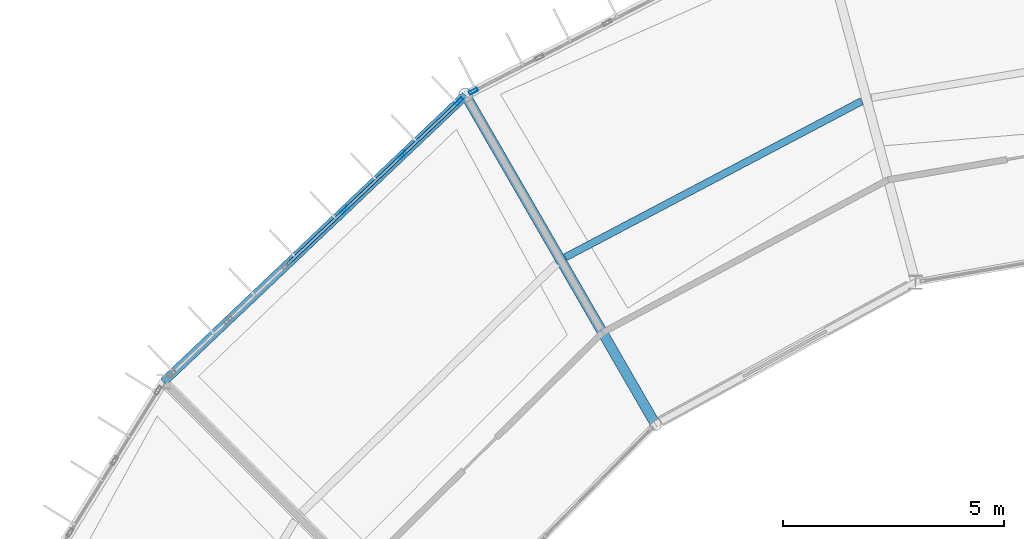
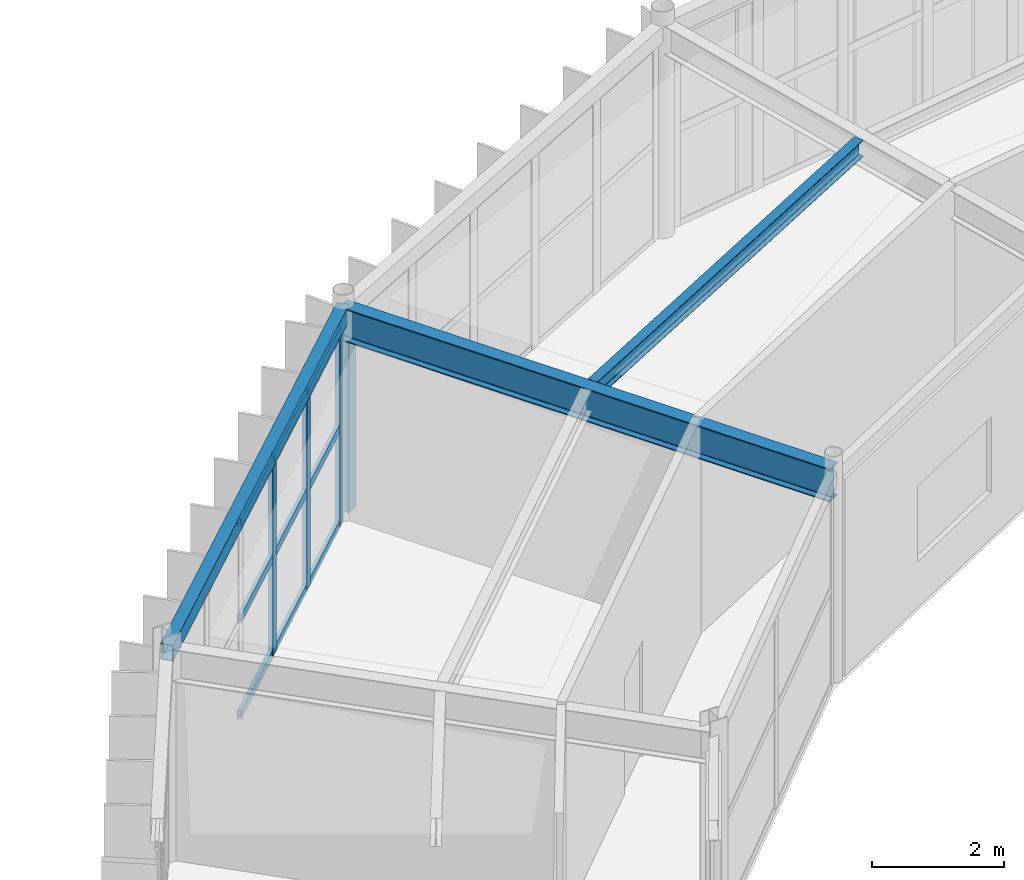
# One storey, part 77 of 147: 13 members, 3 beams, 2 elements without a shape of their own.
"""IFC4 building model written with IfcOpenShell, lengths in metres."""

from ifc_helpers import new_model, si_unit, direction, frame, origin, origin_2d, place, context, subcontext, project, spatial, hollow_rectangle, i_section, extrude, material, material_profile, profile_set, type_object, element, aggregate, save


model = new_model("IFC4")

# Units and contexts
model_context = context("Model", 3, precision=1e-05, world=origin(), true_north=direction((0.0, 1.0)))
body_context = subcontext(model_context, "Body", "Model", "MODEL_VIEW")
ifc_project = project(units=[si_unit("LENGTHUNIT", "METRE"), si_unit("AREAUNIT", "SQUARE_METRE"), si_unit("VOLUMEUNIT", "CUBIC_METRE"), si_unit("PLANEANGLEUNIT", "RADIAN"), si_unit("MASSUNIT", "GRAM", prefix="KILO")], contexts=[model_context])

# Site, building, storey
site_placement = place(None, origin())
site = spatial("IfcSite", under=ifc_project, at=site_placement, CompositionType="ELEMENT")
building_placement = place(site_placement, origin())
building = spatial("IfcBuilding", under=site, at=building_placement, Name="Karori Crest Natural Sciences Institute", CompositionType="ELEMENT")
storey_placement = place(building_placement, frame((0.0, 0.0, 9.10009765625)))
storey = spatial("IfcBuildingStorey", under=building, at=storey_placement, Name="L02", CompositionType="ELEMENT", Elevation=9.10009765625)

# Beams
ifc_material_1 = material(Name="Structural steel AS/NZS 3679.1 Grade 350", Category="steel")
ifc_material_profile_1 = material_profile(ifc_material_1, i_section(OverallWidth=0.22900390625, OverallDepth=0.612060546875, WebThickness=0.011962890625, FlangeThickness=0.01953125, FilletRadius=0.013916015625, at=origin_2d()), Name="610UB125")
ifc_profile_set_1 = profile_set([ifc_material_profile_1], Name="Structural steel AS/NZS 3679.1 Grade 350")
beam_type_1 = type_object("IfcBeamType", Name="BT-04", PredefinedType="BEAM", material=ifc_profile_set_1)
beam_1_placement = place(storey_placement, frame((54.199951171875, 77.785888671875, 3.6337890625), z_axis=(-0.499995216735, 0.866028165386, 0.0), x_axis=(-0.866028165386, -0.499995216735, 0.0)))
element("IfcBeam", 1, at=beam_1_placement, inside=storey, type_object=beam_type_1, Name="Beam B-0303", PredefinedType="BEAM", context=body_context, shape_type="SweptSolid", body=[
    extrude(i_section(OverallWidth=0.22900390625, OverallDepth=0.612060546875, WebThickness=0.011962890625, FlangeThickness=0.01953125, FilletRadius=0.013916015625, at=origin_2d()), origin(), (0.0, 0.0, 1.0), 8.60009765625),
])
ifc_material_profile_2 = material_profile(ifc_material_1, i_section(OverallWidth=0.166015625, OverallDepth=0.306884765625, WebThickness=0.006591796875, FlangeThickness=0.01171875, FilletRadius=0.010986328125, at=origin_2d()), Name="310UB46.2")
ifc_profile_set_2 = profile_set([ifc_material_profile_2], Name="Structural steel AS/NZS 3679.1 Grade 350")
beam_type_2 = type_object("IfcBeamType", Name="BT-09", PredefinedType="BEAM", material=ifc_profile_set_2)
beam_2_placement = place(storey_placement, frame((58.86572265625, 85.100341796875, 3.786376953125), z_axis=(-0.884748465601, -0.466068828197, 0.0), x_axis=(0.466068828197, -0.884748465601, 0.0)))
element("IfcBeam", 2, at=beam_2_placement, inside=storey, type_object=beam_type_2, Name="Beam B-0300", PredefinedType="BEAM", context=body_context, shape_type="SweptSolid", body=[
    extrude(i_section(OverallWidth=0.166015625, OverallDepth=0.306884765625, WebThickness=0.006591796875, FlangeThickness=0.01171875, FilletRadius=0.010986328125, at=origin_2d()), origin(), (0.0, 0.0, 1.0), 7.58349609375),
])
ifc_material_2 = material(Name="Hollow structural steel AS/NZS 1163 Grade C350", Category="steel")
ifc_material_profile_3 = material_profile(ifc_material_2, hollow_rectangle(XDim=0.199951171875, YDim=0.300048828125, WallThickness=0.010009765625, at=origin_2d()), Name="RHS300x200x10")
ifc_profile_set_3 = profile_set([ifc_material_profile_3], Name="Hollow structural steel AS/NZS 1163 Grade C350")
beam_type_3 = type_object("IfcBeamType", Name="BT-15", PredefinedType="SPANDREL", material=ifc_profile_set_3)
beam_3_placement = place(storey_placement, frame((49.89990234375, 85.23388671875, 3.789794921875), z_axis=(-0.72546900706, -0.688254836376, 0.0), x_axis=(0.688254836376, -0.72546900706, 0.0)))
element("IfcBeam", 3, at=beam_3_placement, inside=storey, type_object=beam_type_3, Name="Beam B-0301", PredefinedType="SPANDREL", context=body_context, shape_type="SweptSolid", body=[
    extrude(hollow_rectangle(XDim=0.199951171875, YDim=0.300048828125, WallThickness=0.010009765625, at=origin_2d()), origin(), (0.0, 0.0, 1.0), 9.420654296875),
])

# Curtain wall, member
ifc_material_3 = material(Name="Anodised architectural aluminium 6063-T6", Category="aluminium")
curtain_wall_type_1 = type_object("IfcCurtainWallType", Name="CWT-08", PredefinedType="NOTDEFINED", material=ifc_material_3)
curtain_wall_1_placement = place(storey_placement, origin())
curtain_wall_1 = element("IfcCurtainWall", 4, at=curtain_wall_1_placement, inside=storey, type_object=curtain_wall_type_1, Name="Curtain wall CW-0076", PredefinedType="NOTDEFINED")
ifc_material_profile_4 = material_profile(ifc_material_3, hollow_rectangle(XDim=0.074951171875, YDim=0.199951171875, WallThickness=0.0048828125, at=origin_2d()), Name="CWM200x75x5")
ifc_profile_set_4 = profile_set([ifc_material_profile_4], Name="Anodised architectural aluminium 6063-T6")
member_type_1 = type_object("IfcMemberType", Name="CWM-02", PredefinedType="MULLION", material=ifc_profile_set_4)
member_1_placement = place(storey_placement, frame((50.07568359375, 85.32373046875, 0.0), z_axis=(0.0, 0.0, 1.0), x_axis=(-0.455832988828, 0.890065326982, 0.0)))
member_1 = element("IfcMember", 5, at=member_1_placement, type_object=member_type_1, Name="CW-0076 mullion 1", PredefinedType="MULLION", context=body_context, shape_type="SweptSolid", body=[
    extrude(hollow_rectangle(XDim=0.074951171875, YDim=0.199951171875, WallThickness=0.0048828125, at=origin_2d()), origin(), (0.0, 0.0, 1.0), 3.625),
])
aggregate(curtain_wall_1, [member_1])

# Curtain wall, members
curtain_wall_type_2 = type_object("IfcCurtainWallType", Name="CWT-09", PredefinedType="NOTDEFINED", material=ifc_material_3)
curtain_wall_2_placement = place(storey_placement, origin())
curtain_wall_2 = element("IfcCurtainWall", 6, at=curtain_wall_2_placement, inside=storey, type_object=curtain_wall_type_2, Name="Curtain wall CW-0077", PredefinedType="NOTDEFINED")
member_2_placement = place(storey_placement, frame((47.158203125, 82.632568359375, 0.0), z_axis=(0.0, 0.0, 1.0), x_axis=(-0.688250886925, 0.725472753897, 0.0)))
member_2 = element("IfcMember", 7, at=member_2_placement, type_object=member_type_1, Name="CW-0077 mullion 4", PredefinedType="MULLION", context=body_context, shape_type="SweptSolid", body=[
    extrude(hollow_rectangle(XDim=0.074951171875, YDim=0.199951171875, WallThickness=0.0048828125, at=origin_2d()), origin(), (0.0, 0.0, 1.0), 3.625),
])
member_3_placement = place(storey_placement, frame((48.470947265625, 83.878173828125, 0.0), z_axis=(0.0, 0.0, 1.0), x_axis=(-0.688250886925, 0.725472753897, 0.0)))
member_3 = element("IfcMember", 8, at=member_3_placement, type_object=member_type_1, Name="CW-0077 mullion 5", PredefinedType="MULLION", context=body_context, shape_type="SweptSolid", body=[
    extrude(hollow_rectangle(XDim=0.074951171875, YDim=0.199951171875, WallThickness=0.0048828125, at=origin_2d()), origin(), (0.0, 0.0, 1.0), 3.625),
])
member_4_placement = place(storey_placement, frame((49.756591796875, 85.097900390625, 0.0), z_axis=(0.0, 0.0, 1.0), x_axis=(-0.688250886925, 0.725472753897, 0.0)))
member_4 = element("IfcMember", 9, at=member_4_placement, type_object=member_type_1, Name="CW-0077 mullion 6", PredefinedType="MULLION", context=body_context, shape_type="SweptSolid", body=[
    extrude(hollow_rectangle(XDim=0.074951171875, YDim=0.199951171875, WallThickness=0.0048828125, at=origin_2d()), origin(), (0.0, 0.0, 1.0), 3.625),
])
ifc_material_profile_5 = material_profile(ifc_material_3, hollow_rectangle(XDim=0.06494140625, YDim=0.14990234375, WallThickness=0.00390625, at=origin_2d()), Name="CWT150x65x4")
ifc_profile_set_5 = profile_set([ifc_material_profile_5], Name="Anodised architectural aluminium 6063-T6")
member_type_2 = type_object("IfcMemberType", Name="CWT-TR2", PredefinedType="USERDEFINED", material=ifc_profile_set_5)
member_5_placement = place(storey_placement, frame((45.87255859375, 81.412841796875, 0.032470703125), z_axis=(0.725371797376, 0.688357287731, 0.0), x_axis=(-0.688357287731, 0.725371797376, 0.0)))
member_5 = element("IfcMember", 10, at=member_5_placement, type_object=member_type_2, Name="CW-0077 transom 3.1", ObjectType="TRANSOM", PredefinedType="USERDEFINED", context=body_context, shape_type="SweptSolid", body=[
    extrude(hollow_rectangle(XDim=0.06494140625, YDim=0.14990234375, WallThickness=0.00390625, at=origin_2d()), origin(), (0.0, 0.0, 1.0), 1.734619140625),
])
member_6_placement = place(storey_placement, frame((45.87255859375, 81.412841796875, 1.8125), z_axis=(0.725371797376, 0.688357287731, 0.0), x_axis=(-0.688357287731, 0.725371797376, 0.0)))
member_6 = element("IfcMember", 11, at=member_6_placement, type_object=member_type_2, Name="CW-0077 transom 3.2", ObjectType="TRANSOM", PredefinedType="USERDEFINED", context=body_context, shape_type="SweptSolid", body=[
    extrude(hollow_rectangle(XDim=0.06494140625, YDim=0.14990234375, WallThickness=0.00390625, at=origin_2d()), origin(), (0.0, 0.0, 1.0), 1.734619140625),
])
member_7_placement = place(storey_placement, frame((45.87255859375, 81.412841796875, 3.59228515625), z_axis=(0.725371797376, 0.688357287731, 0.0), x_axis=(-0.688357287731, 0.725371797376, 0.0)))
member_7 = element("IfcMember", 12, at=member_7_placement, type_object=member_type_2, Name="CW-0077 transom 3.3", ObjectType="TRANSOM", PredefinedType="USERDEFINED", context=body_context, shape_type="SweptSolid", body=[
    extrude(hollow_rectangle(XDim=0.06494140625, YDim=0.14990234375, WallThickness=0.00390625, at=origin_2d()), origin(), (0.0, 0.0, 1.0), 1.734619140625),
])
member_8_placement = place(storey_placement, frame((47.185302734375, 82.658447265625, 0.032470703125), z_axis=(0.725508743125, 0.688212949347, 0.0), x_axis=(-0.688212949347, 0.725508743125, 0.0)))
member_8 = element("IfcMember", 13, at=member_8_placement, type_object=member_type_2, Name="CW-0077 transom 4.1", ObjectType="TRANSOM", PredefinedType="USERDEFINED", context=body_context, shape_type="SweptSolid", body=[
    extrude(hollow_rectangle(XDim=0.06494140625, YDim=0.14990234375, WallThickness=0.00390625, at=origin_2d()), origin(), (0.0, 0.0, 1.0), 1.734619140625),
])
member_9_placement = place(storey_placement, frame((47.185302734375, 82.658447265625, 1.8125), z_axis=(0.725508743125, 0.688212949347, 0.0), x_axis=(-0.688212949347, 0.725508743125, 0.0)))
member_9 = element("IfcMember", 14, at=member_9_placement, type_object=member_type_2, Name="CW-0077 transom 4.2", ObjectType="TRANSOM", PredefinedType="USERDEFINED", context=body_context, shape_type="SweptSolid", body=[
    extrude(hollow_rectangle(XDim=0.06494140625, YDim=0.14990234375, WallThickness=0.00390625, at=origin_2d()), origin(), (0.0, 0.0, 1.0), 1.734619140625),
])
member_10_placement = place(storey_placement, frame((47.185302734375, 82.658447265625, 3.59228515625), z_axis=(0.725508743125, 0.688212949347, 0.0), x_axis=(-0.688212949347, 0.725508743125, 0.0)))
member_10 = element("IfcMember", 15, at=member_10_placement, type_object=member_type_2, Name="CW-0077 transom 4.3", ObjectType="TRANSOM", PredefinedType="USERDEFINED", context=body_context, shape_type="SweptSolid", body=[
    extrude(hollow_rectangle(XDim=0.06494140625, YDim=0.14990234375, WallThickness=0.00390625, at=origin_2d()), origin(), (0.0, 0.0, 1.0), 1.734619140625),
])
member_11_placement = place(storey_placement, frame((48.498291015625, 83.904052734375, 0.032470703125), z_axis=(0.725491325222, 0.6882313107, 0.0), x_axis=(-0.6882313107, 0.725491325222, 0.0)))
member_11 = element("IfcMember", 16, at=member_11_placement, type_object=member_type_2, Name="CW-0077 transom 5.1", ObjectType="TRANSOM", PredefinedType="USERDEFINED", context=body_context, shape_type="SweptSolid", body=[
    extrude(hollow_rectangle(XDim=0.06494140625, YDim=0.14990234375, WallThickness=0.00390625, at=origin_2d()), origin(), (0.0, 0.0, 1.0), 1.697021484375),
])
member_12_placement = place(storey_placement, frame((48.498291015625, 83.904052734375, 1.8125), z_axis=(0.725491325222, 0.6882313107, 0.0), x_axis=(-0.6882313107, 0.725491325222, 0.0)))
member_12 = element("IfcMember", 17, at=member_12_placement, type_object=member_type_2, Name="CW-0077 transom 5.2", ObjectType="TRANSOM", PredefinedType="USERDEFINED", context=body_context, shape_type="SweptSolid", body=[
    extrude(hollow_rectangle(XDim=0.06494140625, YDim=0.14990234375, WallThickness=0.00390625, at=origin_2d()), origin(), (0.0, 0.0, 1.0), 1.697021484375),
])
member_13_placement = place(storey_placement, frame((48.498291015625, 83.904052734375, 3.59228515625), z_axis=(0.725491325222, 0.6882313107, 0.0), x_axis=(-0.6882313107, 0.725491325222, 0.0)))
member_13 = element("IfcMember", 18, at=member_13_placement, type_object=member_type_2, Name="CW-0077 transom 5.3", ObjectType="TRANSOM", PredefinedType="USERDEFINED", context=body_context, shape_type="SweptSolid", body=[
    extrude(hollow_rectangle(XDim=0.06494140625, YDim=0.14990234375, WallThickness=0.00390625, at=origin_2d()), origin(), (0.0, 0.0, 1.0), 1.697021484375),
])
aggregate(curtain_wall_2, [member_2, member_3, member_4, member_5, member_6, member_7, member_8, member_9, member_10, member_11, member_12, member_13])

save(model, "model.ifc")
